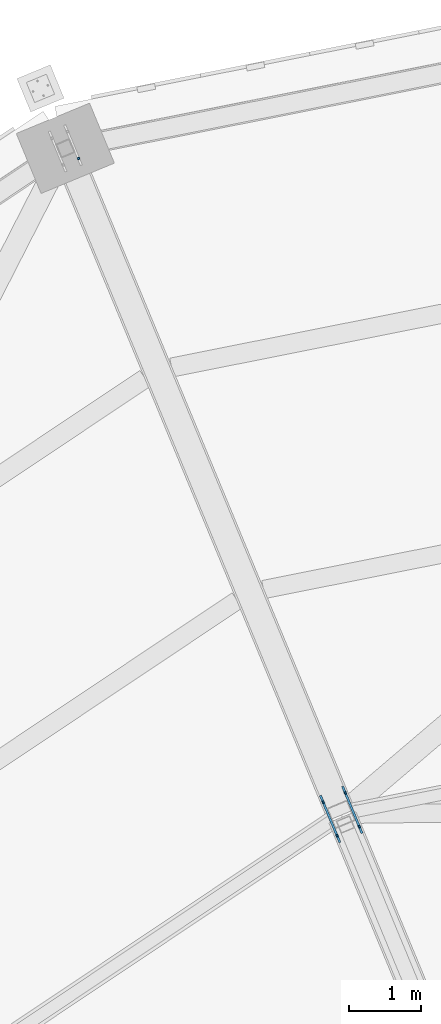
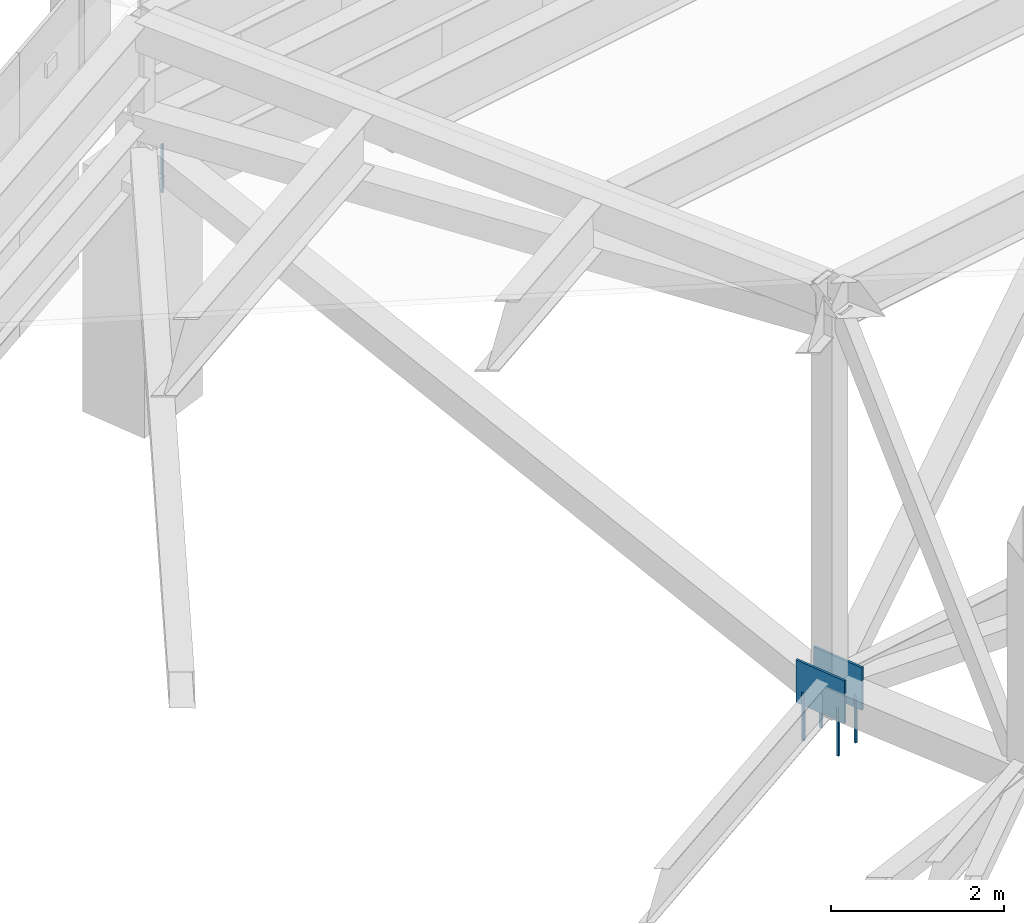
# One storey, part 227 of 278: 5 mechanical fasteners, 2 discrete accessories.
"""IFC4 building model written with IfcOpenShell, lengths in metres."""

from ifc_helpers import new_model, si_unit, direction, frame, origin, origin_2d, place, context, subcontext, project, spatial, rectangle, extrude, material, layer, layer_set, type_object, element, save


model = new_model("IFC4")

# Units and contexts
model_context = context("Model", 3, precision=1e-05, world=origin(), true_north=direction((0.0, 1.0)))
body_context = subcontext(model_context, "Body", "Model", "MODEL_VIEW")
ifc_project = project(units=[si_unit("LENGTHUNIT", "METRE"), si_unit("AREAUNIT", "SQUARE_METRE"), si_unit("VOLUMEUNIT", "CUBIC_METRE"), si_unit("PLANEANGLEUNIT", "RADIAN"), si_unit("MASSUNIT", "GRAM", prefix="KILO")], contexts=[model_context])

# Site, building, storey
site_placement = place(None, origin())
site = spatial("IfcSite", under=ifc_project, at=site_placement, CompositionType="ELEMENT")
building_placement = place(site_placement, origin())
building = spatial("IfcBuilding", under=site, at=building_placement, Name="Ogive Plaza Stadium", CompositionType="ELEMENT")
storey_placement = place(building_placement, frame((0.0, 0.0, 29.0)))
storey = spatial("IfcBuildingStorey", under=building, at=storey_placement, Name="Roof", CompositionType="ELEMENT", Elevation=29.0)

# Mechanical fasteners
ifc_material_1 = material(Name="Steel ASTM A992 Grade 50", Category="steel")
mechanical_fastener_type = type_object("IfcMechanicalFastenerType", Name="Anchor bolt M30 x 600", PredefinedType="ANCHORBOLT", material=ifc_material_1)
for number, where, z_axis, x_axis, name in (
    (1, (-49.5576171875, 89.624755859375, -0.5), (0.0, 0.0, 1.0), (-0.382683432365, 0.923879532511, 0.0), "ANCHOR BOLT 31 BP 1.1"),
    (2, (-49.364501953125, 89.158203125, -0.5), (0.0, 0.0, 1.0), (-0.382683432365, 0.923879532511, 0.0), "ANCHOR BOLT 31 BP 1.2"),
    (3, (-49.250244140625, 89.751953125, -0.5), (0.0, 0.0, 1.0), (-0.382683432365, 0.923879532511, 0.0), "ANCHOR BOLT 31 BP 2.1"),
    (4, (-49.056884765625, 89.28564453125, -0.5), (0.0, 0.0, 1.0), (-0.382683432365, 0.923879532511, 0.0), "ANCHOR BOLT 31 BP 2.2"),
    (5, (-52.9501953125, 98.552001953125, 3.0), (0.0, 0.0, 1.0), (-0.382683432365, 0.923879532511, 0.0), "ANCHOR BOLT 31 BF 2.2"),
):
    element("IfcMechanicalFastener", number, at=place(storey_placement, frame(where, z_axis=z_axis, x_axis=x_axis)), inside=storey, type_object=mechanical_fastener_type, Name=name, PredefinedType="ANCHORBOLT", context=body_context, shape_type="SweptSolid", body=[
        extrude(rectangle(XDim=0.030029296875, YDim=0.030029296875, at=origin_2d()), origin(), (0.0, 0.0, 1.0), 0.679931640625),
    ])

# Discrete accessories
ifc_material_2 = material(Name="Steel ASTM A992 Grade 50", Category="steel")
ifc_layer = layer(ifc_material_2, 0.030029296875)
ifc_layer_set = layer_set([ifc_layer], Name="Steel ASTM A992 Grade 50")
discrete_accessory_type = type_object("IfcDiscreteAccessoryType", Name="Truss root foot cleat plate 30", PredefinedType="ANCHORPLATE", material=ifc_layer_set)
for number, where, z_axis, x_axis, name in (
    (6, (-49.461181640625, 89.3916015625, 0.0), (0.0, 0.0, 1.0), (-0.382683432365, 0.923879532511, 0.0), "TRUSS ROOT FOOT CLEAT PLATE 31 1"),
    (7, (-49.153564453125, 89.518798828125, 0.0), (0.0, 0.0, 1.0), (-0.382683432365, 0.923879532511, 0.0), "TRUSS ROOT FOOT CLEAT PLATE 31 2"),
):
    element("IfcDiscreteAccessory", number, at=place(storey_placement, frame(where, z_axis=z_axis, x_axis=x_axis)), inside=storey, type_object=discrete_accessory_type, Name=name, PredefinedType="ANCHORPLATE", context=body_context, shape_type="SweptSolid", body=[
        extrude(rectangle(XDim=0.704833984375, YDim=0.030029296875, at=origin_2d()), origin(), (0.0, 0.0, 1.0), 0.60009765625),
    ])

save(model, "model.ifc")
